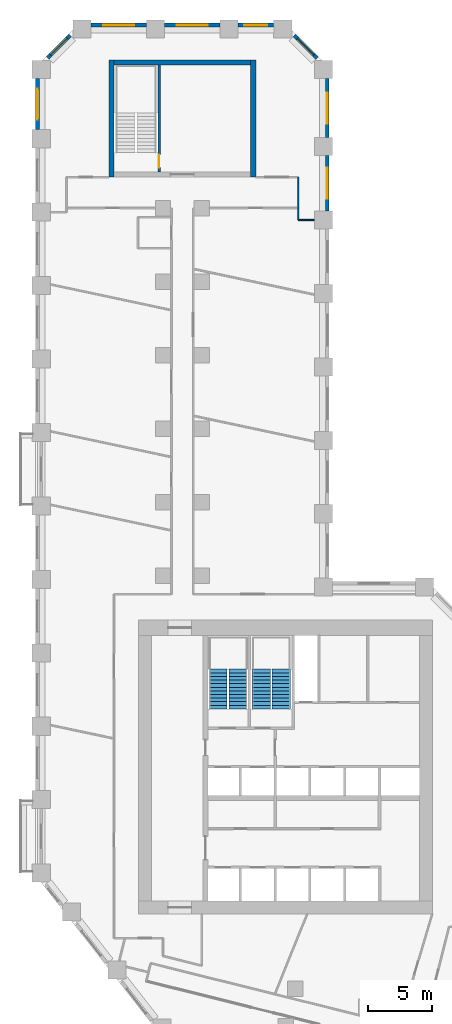
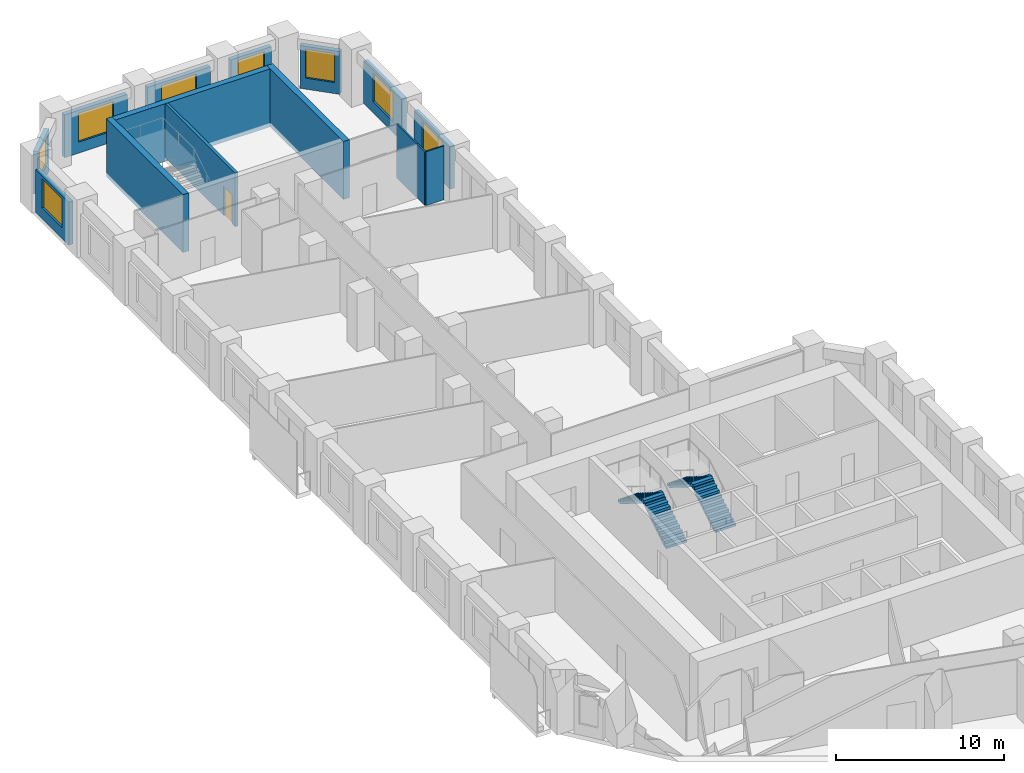
# One storey, part 9 of 11: 15 walls, 8 windows, 4 stair flights, 1 door, 9 openings, 2 elements without a shape of their own.
"""IFC4 building model written with IfcOpenShell, lengths in metres."""

from ifc_helpers import new_model, si_unit, direction, frame, frame_2d, origin, place, context, subcontext, project, spatial, polyline, rectangle, outline, extrude, material, layer, layer_set, type_object, element, fill, aggregate, save


model = new_model("IFC4")

# Units and contexts
model_context = context("Model", 3, precision=1e-05, world=origin(), true_north=direction((0.0, 1.0)))
body_context = subcontext(model_context, "Body", "Model", "MODEL_VIEW")
ifc_project = project(units=[si_unit("LENGTHUNIT", "METRE"), si_unit("AREAUNIT", "SQUARE_METRE"), si_unit("VOLUMEUNIT", "CUBIC_METRE"), si_unit("PLANEANGLEUNIT", "RADIAN"), si_unit("MASSUNIT", "GRAM", prefix="KILO")], contexts=[model_context])

# Site, building, storey
site_placement = place(None, origin())
site = spatial("IfcSite", under=ifc_project, at=site_placement, CompositionType="ELEMENT")
building_placement = place(site_placement, origin())
building = spatial("IfcBuilding", under=site, at=building_placement, Name="Meshkara Civic Tower", CompositionType="ELEMENT")
storey_placement = place(building_placement, frame((0.0, 0.0, 37.199951171875)))
storey = spatial("IfcBuildingStorey", under=building, at=storey_placement, Name="L07", CompositionType="ELEMENT", Elevation=37.199951171875)

# Wall
ifc_material_1 = material(Name="Corridor wall 100")
ifc_layer_1 = layer(ifc_material_1, 0.10009765625)
ifc_layer_set_1 = layer_set([ifc_layer_1], Name="Corridor wall 100")
wall_type_1 = type_object("IfcWallType", Name="Corridor wall 100", PredefinedType="PARTITIONING", material=ifc_layer_set_1)
wall_1_placement = place(storey_placement, frame((20.39990234375, 68.8701171875, 0.0), z_axis=(0.0, 0.0, 1.0), x_axis=(0.0, 1.0, 0.0)))
element("IfcWall", 1, at=wall_1_placement, inside=storey, type_object=wall_type_1, Name="L07-W016", PredefinedType="PARTITIONING", context=body_context, shape_type="SweptSolid", body=[
    extrude(rectangle(XDim=2.39990234375, YDim=0.10009765625, at=frame_2d((1.199951171875, 0.0))), origin(), (0.0, 0.0, 1.0), 3.900146484375),
])

# Wall, opening, window
ifc_material_2 = material(Name="Insulated infill panel with bronze anodised aluminium cladding", Category="aluminium")
ifc_layer_2 = layer(ifc_material_2, 0.300048828125)
ifc_layer_set_2 = layer_set([ifc_layer_2], Name="EXTERNAL INFILL WALL 300")
wall_type_2 = type_object("IfcWallType", Name="EXTERNAL INFILL WALL 300", PredefinedType="SOLIDWALL", material=ifc_layer_set_2)
wall_2_placement = place(storey_placement, frame((22.64990234375, 68.64990234375, 0.0), z_axis=(0.0, 0.0, 1.0), x_axis=(0.0, 1.0, 0.0)))
wall_2 = element("IfcWall", 2, at=wall_2_placement, inside=storey, type_object=wall_type_2, Name="External wall", PredefinedType="SOLIDWALL", context=body_context, shape_type="SweptSolid", body=[
    extrude(rectangle(XDim=4.300048828125, YDim=0.300048828125, at=frame_2d((2.14990234375, 0.0))), origin(), (0.0, 0.0, 1.0), 3.10009765625),
])
opening_1_placement = place(wall_2_placement, frame((0.949951171875, 0.0, 0.800048828125)))
opening_1 = element("IfcOpeningElement", 3, at=opening_1_placement, cuts=wall_2, Name="Opening W7", PredefinedType="OPENING", context=body_context, shape_type="SweptSolid", body=[
    extrude(rectangle(XDim=2.39990234375, YDim=2.10009765625, at=frame_2d((1.199951171875, 1.050048828125))), frame((0.0, 0.159912109375, 0.0), z_axis=(0.0, -1.0, 0.0), x_axis=(1.0, 0.0, 0.0)), (0.0, 0.0, 1.0), 0.320068359375),
])
ifc_material_3 = material(Name="Tinted double glazing", Category="glass")
window_type_1 = type_object("IfcWindowType", Name="WINDOW 2400x2100", PartitioningType="DOUBLE_PANEL_VERTICAL", PredefinedType="WINDOW", material=ifc_material_3)
window_1_placement = place(opening_1_placement, origin())
window_1 = element("IfcWindow", 4, at=window_1_placement, inside=storey, type_object=window_type_1, Name="Window", OverallHeight=2.10009765625, OverallWidth=2.39990234375, PartitioningType="DOUBLE_PANEL_VERTICAL", PredefinedType="WINDOW", context=body_context, shape_type="SweptSolid", body=[
    extrude(rectangle(XDim=2.39990234375, YDim=2.10009765625, at=frame_2d((1.199951171875, 1.050048828125))), frame((0.0, 0.030029296875, 0.0), z_axis=(0.0, -1.0, 0.0), x_axis=(1.0, 0.0, 0.0)), (0.0, 0.0, 1.0), 0.06005859375),
])
fill(opening_1, window_1)

wall_3_placement = place(storey_placement, frame((22.64990234375, 74.35009765625, 0.0), z_axis=(0.0, 0.0, 1.0), x_axis=(0.0, 1.0, 0.0)))
wall_3 = element("IfcWall", 5, at=wall_3_placement, inside=storey, type_object=wall_type_2, Name="External wall", PredefinedType="SOLIDWALL", context=body_context, shape_type="SweptSolid", body=[
    extrude(rectangle(XDim=4.56396484375, YDim=0.300048828125, at=frame_2d((2.281982421875, 0.0))), origin(), (0.0, 0.0, 1.0), 3.10009765625),
])
opening_2_placement = place(wall_3_placement, frame((1.08203125, 0.0, 0.800048828125)))
opening_2 = element("IfcOpeningElement", 6, at=opening_2_placement, cuts=wall_3, Name="Opening W7", PredefinedType="OPENING", context=body_context, shape_type="SweptSolid", body=[
    extrude(rectangle(XDim=2.39990234375, YDim=2.10009765625, at=frame_2d((1.199951171875, 1.050048828125))), frame((0.0, 0.159912109375, 0.0), z_axis=(0.0, -1.0, 0.0), x_axis=(1.0, 0.0, 0.0)), (0.0, 0.0, 1.0), 0.320068359375),
])
window_2_placement = place(opening_2_placement, origin())
window_2 = element("IfcWindow", 7, at=window_2_placement, inside=storey, type_object=window_type_1, Name="Window", OverallHeight=2.10009765625, OverallWidth=2.39990234375, PartitioningType="DOUBLE_PANEL_VERTICAL", PredefinedType="WINDOW", context=body_context, shape_type="SweptSolid", body=[
    extrude(rectangle(XDim=2.39990234375, YDim=2.10009765625, at=frame_2d((1.199951171875, 1.050048828125))), frame((0.0, 0.030029296875, 0.0), z_axis=(0.0, -1.0, 0.0), x_axis=(1.0, 0.0, 0.0)), (0.0, 0.0, 1.0), 0.06005859375),
])
fill(opening_2, window_2)

wall_4_placement = place(storey_placement, frame((21.862060546875, 80.52587890625, 0.0), z_axis=(0.0, 0.0, 1.0), x_axis=(-0.707106781187, 0.707106781187, 0.0)))
wall_4 = element("IfcWall", 8, at=wall_4_placement, inside=storey, type_object=wall_type_2, Name="External wall", PredefinedType="SOLIDWALL", context=body_context, shape_type="SweptSolid", body=[
    extrude(rectangle(XDim=2.4833984375, YDim=0.300048828125, at=frame_2d((1.24169921875, 0.0))), origin(), (0.0, 0.0, 1.0), 3.10009765625),
])
opening_3_placement = place(wall_4_placement, frame((0.342041015625, 0.0, 0.800048828125)))
opening_3 = element("IfcOpeningElement", 9, at=opening_3_placement, cuts=wall_4, Name="Opening W9", PredefinedType="OPENING", context=body_context, shape_type="SweptSolid", body=[
    extrude(rectangle(XDim=1.800048828125, YDim=2.10009765625, at=frame_2d((0.89990234375, 1.050048828125))), frame((0.0, 0.159912109375, 0.0), z_axis=(0.0, -1.0, 0.0), x_axis=(1.0, 0.0, 0.0)), (0.0, 0.0, 1.0), 0.320068359375),
])
ifc_material_4 = material(Name="Tinted double glazing", Category="glass")
window_type_2 = type_object("IfcWindowType", Name="WINDOW 1800x2100", PartitioningType="DOUBLE_PANEL_VERTICAL", PredefinedType="WINDOW", material=ifc_material_4)
window_3_placement = place(opening_3_placement, origin())
window_3 = element("IfcWindow", 10, at=window_3_placement, inside=storey, type_object=window_type_2, Name="Window", OverallHeight=2.10009765625, OverallWidth=1.800048828125, PartitioningType="DOUBLE_PANEL_VERTICAL", PredefinedType="WINDOW", context=body_context, shape_type="SweptSolid", body=[
    extrude(rectangle(XDim=1.800048828125, YDim=2.10009765625, at=frame_2d((0.89990234375, 1.050048828125))), frame((0.0, 0.030029296875, 0.0), z_axis=(0.0, -1.0, 0.0), x_axis=(1.0, 0.0, 0.0)), (0.0, 0.0, 1.0), 0.06005859375),
])
fill(opening_3, window_3)

wall_5_placement = place(storey_placement, frame((18.493896484375, 83.070068359375, 0.0), z_axis=(0.0, 0.0, 1.0), x_axis=(-1.0, 0.0, 0.0)))
wall_5 = element("IfcWall", 11, at=wall_5_placement, inside=storey, type_object=wall_type_2, Name="External wall", PredefinedType="SOLIDWALL", context=body_context, shape_type="SweptSolid", body=[
    extrude(rectangle(XDim=2.787841796875, YDim=0.300048828125, at=frame_2d((1.39404296875, 0.0))), origin(), (0.0, 0.0, 1.0), 3.10009765625),
])
opening_4_placement = place(wall_5_placement, frame((0.493896484375, 0.0, 0.800048828125)))
opening_4 = element("IfcOpeningElement", 12, at=opening_4_placement, cuts=wall_5, Name="Opening W9", PredefinedType="OPENING", context=body_context, shape_type="SweptSolid", body=[
    extrude(rectangle(XDim=1.800048828125, YDim=2.10009765625, at=frame_2d((0.89990234375, 1.050048828125))), frame((0.0, 0.159912109375, 0.0), z_axis=(0.0, -1.0, 0.0), x_axis=(1.0, 0.0, 0.0)), (0.0, 0.0, 1.0), 0.320068359375),
])
window_4_placement = place(opening_4_placement, origin())
window_4 = element("IfcWindow", 13, at=window_4_placement, inside=storey, type_object=window_type_2, Name="Window", OverallHeight=2.10009765625, OverallWidth=1.800048828125, PartitioningType="DOUBLE_PANEL_VERTICAL", PredefinedType="WINDOW", context=body_context, shape_type="SweptSolid", body=[
    extrude(rectangle(XDim=1.800048828125, YDim=2.10009765625, at=frame_2d((0.89990234375, 1.050048828125))), frame((0.0, 0.030029296875, 0.0), z_axis=(0.0, -1.0, 0.0), x_axis=(1.0, 0.0, 0.0)), (0.0, 0.0, 1.0), 0.06005859375),
])
fill(opening_4, window_4)

wall_6_placement = place(storey_placement, frame((14.305908203125, 83.070068359375, 0.0), z_axis=(0.0, 0.0, 1.0), x_axis=(-1.0, 0.0, 0.0)))
wall_6 = element("IfcWall", 14, at=wall_6_placement, inside=storey, type_object=wall_type_2, Name="External wall", PredefinedType="SOLIDWALL", context=body_context, shape_type="SweptSolid", body=[
    extrude(rectangle(XDim=4.2998046875, YDim=0.300048828125, at=frame_2d((2.14990234375, 0.0))), origin(), (0.0, 0.0, 1.0), 3.10009765625),
])
opening_5_placement = place(wall_6_placement, frame((0.949951171875, 0.0, 0.800048828125)))
opening_5 = element("IfcOpeningElement", 15, at=opening_5_placement, cuts=wall_6, Name="Opening W7", PredefinedType="OPENING", context=body_context, shape_type="SweptSolid", body=[
    extrude(rectangle(XDim=2.39990234375, YDim=2.10009765625, at=frame_2d((1.199951171875, 1.050048828125))), frame((0.0, 0.159912109375, 0.0), z_axis=(0.0, -1.0, 0.0), x_axis=(1.0, 0.0, 0.0)), (0.0, 0.0, 1.0), 0.320068359375),
])
window_5_placement = place(opening_5_placement, origin())
window_5 = element("IfcWindow", 16, at=window_5_placement, inside=storey, type_object=window_type_1, Name="Window", OverallHeight=2.10009765625, OverallWidth=2.39990234375, PartitioningType="DOUBLE_PANEL_VERTICAL", PredefinedType="WINDOW", context=body_context, shape_type="SweptSolid", body=[
    extrude(rectangle(XDim=2.39990234375, YDim=2.10009765625, at=frame_2d((1.199951171875, 1.050048828125))), frame((0.0, 0.030029296875, 0.0), z_axis=(0.0, -1.0, 0.0), x_axis=(1.0, 0.0, 0.0)), (0.0, 0.0, 1.0), 0.06005859375),
])
fill(opening_5, window_5)

wall_7_placement = place(storey_placement, frame((8.60595703125, 83.070068359375, 0.0), z_axis=(0.0, 0.0, 1.0), x_axis=(-1.0, 0.0, 0.0)))
wall_7 = element("IfcWall", 17, at=wall_7_placement, inside=storey, type_object=wall_type_2, Name="External wall", PredefinedType="SOLIDWALL", context=body_context, shape_type="SweptSolid", body=[
    extrude(rectangle(XDim=4.300048828125, YDim=0.300048828125, at=frame_2d((2.14990234375, 0.0))), origin(), (0.0, 0.0, 1.0), 3.10009765625),
])
opening_6_placement = place(wall_7_placement, frame((0.949951171875, 0.0, 0.800048828125)))
opening_6 = element("IfcOpeningElement", 18, at=opening_6_placement, cuts=wall_7, Name="Opening W7", PredefinedType="OPENING", context=body_context, shape_type="SweptSolid", body=[
    extrude(rectangle(XDim=2.39990234375, YDim=2.10009765625, at=frame_2d((1.199951171875, 1.050048828125))), frame((0.0, 0.159912109375, 0.0), z_axis=(0.0, -1.0, 0.0), x_axis=(1.0, 0.0, 0.0)), (0.0, 0.0, 1.0), 0.320068359375),
])
window_6_placement = place(opening_6_placement, origin())
window_6 = element("IfcWindow", 19, at=window_6_placement, inside=storey, type_object=window_type_1, Name="Window", OverallHeight=2.10009765625, OverallWidth=2.39990234375, PartitioningType="DOUBLE_PANEL_VERTICAL", PredefinedType="WINDOW", context=body_context, shape_type="SweptSolid", body=[
    extrude(rectangle(XDim=2.39990234375, YDim=2.10009765625, at=frame_2d((1.199951171875, 1.050048828125))), frame((0.0, 0.030029296875, 0.0), z_axis=(0.0, -1.0, 0.0), x_axis=(1.0, 0.0, 0.0)), (0.0, 0.0, 1.0), 0.06005859375),
])
fill(opening_6, window_6)

wall_8_placement = place(storey_placement, frame((2.694091796875, 82.281982421875, 0.0), z_axis=(0.0, 0.0, 1.0), x_axis=(-0.707106781187, -0.707106781187, 0.0)))
wall_8 = element("IfcWall", 20, at=wall_8_placement, inside=storey, type_object=wall_type_2, Name="External wall", PredefinedType="SOLIDWALL", context=body_context, shape_type="SweptSolid", body=[
    extrude(rectangle(XDim=2.4833984375, YDim=0.300048828125, at=frame_2d((1.24169921875, 0.0))), origin(), (0.0, 0.0, 1.0), 3.10009765625),
])
opening_7_placement = place(wall_8_placement, frame((0.342041015625, 0.0, 0.800048828125)))
opening_7 = element("IfcOpeningElement", 21, at=opening_7_placement, cuts=wall_8, Name="Opening W9", PredefinedType="OPENING", context=body_context, shape_type="SweptSolid", body=[
    extrude(rectangle(XDim=1.800048828125, YDim=2.10009765625, at=frame_2d((0.89990234375, 1.050048828125))), frame((0.0, 0.159912109375, 0.0), z_axis=(0.0, -1.0, 0.0), x_axis=(1.0, 0.0, 0.0)), (0.0, 0.0, 1.0), 0.320068359375),
])
window_7_placement = place(opening_7_placement, origin())
window_7 = element("IfcWindow", 22, at=window_7_placement, inside=storey, type_object=window_type_2, Name="Window", OverallHeight=2.10009765625, OverallWidth=1.800048828125, PartitioningType="DOUBLE_PANEL_VERTICAL", PredefinedType="WINDOW", context=body_context, shape_type="SweptSolid", body=[
    extrude(rectangle(XDim=1.800048828125, YDim=2.10009765625, at=frame_2d((0.89990234375, 1.050048828125))), frame((0.0, 0.030029296875, 0.0), z_axis=(0.0, -1.0, 0.0), x_axis=(1.0, 0.0, 0.0)), (0.0, 0.0, 1.0), 0.06005859375),
])
fill(opening_7, window_7)

wall_9_placement = place(storey_placement, frame((0.14990234375, 78.9140625, 0.0), z_axis=(0.0, 0.0, 1.0), x_axis=(0.0, -1.0, 0.0)))
wall_9 = element("IfcWall", 23, at=wall_9_placement, inside=storey, type_object=wall_type_2, Name="External wall", PredefinedType="SOLIDWALL", context=body_context, shape_type="SweptSolid", body=[
    extrude(rectangle(XDim=3.958984375, YDim=0.300048828125, at=frame_2d((1.9794921875, 0.0))), origin(), (0.0, 0.0, 1.0), 3.10009765625),
])
opening_8_placement = place(wall_9_placement, frame((0.780029296875, 0.0, 0.800048828125)))
opening_8 = element("IfcOpeningElement", 24, at=opening_8_placement, cuts=wall_9, Name="Opening W7", PredefinedType="OPENING", context=body_context, shape_type="SweptSolid", body=[
    extrude(rectangle(XDim=2.39990234375, YDim=2.10009765625, at=frame_2d((1.199951171875, 1.050048828125))), frame((0.0, 0.159912109375, 0.0), z_axis=(0.0, -1.0, 0.0), x_axis=(1.0, 0.0, 0.0)), (0.0, 0.0, 1.0), 0.320068359375),
])
window_8_placement = place(opening_8_placement, origin())
window_8 = element("IfcWindow", 25, at=window_8_placement, inside=storey, type_object=window_type_1, Name="Window", OverallHeight=2.10009765625, OverallWidth=2.39990234375, PartitioningType="DOUBLE_PANEL_VERTICAL", PredefinedType="WINDOW", context=body_context, shape_type="SweptSolid", body=[
    extrude(rectangle(XDim=2.39990234375, YDim=2.10009765625, at=frame_2d((1.199951171875, 1.050048828125))), frame((0.0, 0.030029296875, 0.0), z_axis=(0.0, -1.0, 0.0), x_axis=(1.0, 0.0, 0.0)), (0.0, 0.0, 1.0), 0.06005859375),
])
fill(opening_8, window_8)

# Walls
ifc_material_5 = material(Name="Concrete C80", Category="concrete")
ifc_layer_3 = layer(ifc_material_5, 0.39990234375)
ifc_layer_set_3 = layer_set([ifc_layer_3], Name="End core ring wall 400 C80")
wall_type_3 = type_object("IfcWallType", Name="End core ring wall 400 C80", PredefinedType="SHEAR", material=ifc_layer_set_3)
for number, where, z_axis, x_axis, name in (
    (26, (5.89990234375, 71.27001953125, -0.300048828125), (0.0, 0.0, 1.0), (0.0, 1.0, 0.0), "L07-C026"),
    (27, (16.89990234375, 71.27001953125, -0.300048828125), (0.0, 0.0, 1.0), (0.0, 1.0, 0.0), "L07-C027"),
):
    element("IfcWall", number, at=place(storey_placement, frame(where, z_axis=z_axis, x_axis=x_axis)), inside=storey, type_object=wall_type_3, Name=name, PredefinedType="SHEAR", context=body_context, shape_type="SweptSolid", body=[
        extrude(rectangle(XDim=9.10009765625, YDim=0.39990234375, at=frame_2d((4.550048828125, 0.0))), origin(), (0.0, 0.0, 1.0), 4.2001953125),
    ])
wall_10_placement = place(storey_placement, frame((6.10009765625, 80.169921875, -0.300048828125), z_axis=(0.0, 0.0, 1.0), x_axis=(1.0, 0.0, 0.0)))
element("IfcWall", 28, at=wall_10_placement, inside=storey, type_object=wall_type_3, Name="L07-C029", PredefinedType="SHEAR", context=body_context, shape_type="SweptSolid", body=[
    extrude(rectangle(XDim=10.599853515625, YDim=0.39990234375, at=frame_2d((5.2998046875, 0.0))), origin(), (0.0, 0.0, 1.0), 4.2001953125),
])
ifc_material_6 = material(Name="Partition 100")
ifc_layer_4 = layer(ifc_material_6, 0.10009765625)
ifc_layer_set_4 = layer_set([ifc_layer_4], Name="Partition 100")
wall_type_4 = type_object("IfcWallType", Name="Partition 100", PredefinedType="PARTITIONING", material=ifc_layer_set_4)
wall_11_placement = place(storey_placement, frame((20.39990234375, 67.949951171875, 0.0), z_axis=(0.0, 0.0, 1.0), x_axis=(0.0, 1.0, 0.0)))
element("IfcWall", 29, at=wall_11_placement, inside=storey, type_object=wall_type_4, Name="L07-W043", PredefinedType="PARTITIONING", context=body_context, shape_type="SweptSolid", body=[
    extrude(rectangle(XDim=0.924072265625, YDim=0.10009765625, at=frame_2d((0.4619140625, 0.0))), origin(), (0.0, 0.0, 1.0), 3.900146484375),
])
wall_12_placement = place(storey_placement, frame((21.64990234375, 67.949951171875, 0.0), z_axis=(0.0, 0.0, 1.0), x_axis=(-1.0, 0.0, 0.0)))
element("IfcWall", 30, at=wall_12_placement, inside=storey, type_object=wall_type_4, Name="L07-W046", PredefinedType="PARTITIONING", context=body_context, shape_type="SweptSolid", body=[
    extrude(rectangle(XDim=1.25, YDim=0.10009765625, at=frame_2d((0.625, 0.0))), origin(), (0.0, 0.0, 1.0), 3.900146484375),
])

# Wall, opening, door
ifc_material_7 = material(Name="Concrete C40/50", Category="concrete")
ifc_layer_5 = layer(ifc_material_7, 0.199951171875)
ifc_layer_set_5 = layer_set([ifc_layer_5], Name="Stair enclosure wall 200 C40/50")
wall_type_5 = type_object("IfcWallType", Name="Stair enclosure wall 200 C40/50", PredefinedType="SOLIDWALL", material=ifc_layer_set_5)
wall_13_placement = place(storey_placement, frame((9.60009765625, 71.669921875, 0.0), z_axis=(0.0, 0.0, 1.0), x_axis=(0.0, 1.0, 0.0)))
wall_13 = element("IfcWall", 31, at=wall_13_placement, inside=storey, type_object=wall_type_5, Name="L07-C030", PredefinedType="SOLIDWALL", context=body_context, shape_type="SweptSolid", body=[
    extrude(rectangle(XDim=8.300048828125, YDim=0.199951171875, at=frame_2d((4.14990234375, 0.0))), origin(), (0.0, 0.0, 1.0), 3.900146484375),
])
opening_9_placement = place(wall_13_placement, frame((0.35009765625, 0.0, 0.0)))
opening_9 = element("IfcOpeningElement", 32, at=opening_9_placement, cuts=wall_13, Name="Opening L07-K101", PredefinedType="OPENING", context=body_context, shape_type="SweptSolid", body=[
    extrude(rectangle(XDim=1.0, YDim=2.10009765625, at=frame_2d((0.5, 1.050048828125))), frame((0.0, 0.10986328125, 0.0), z_axis=(0.0, -1.0, 0.0), x_axis=(1.0, 0.0, 0.0)), (0.0, 0.0, 1.0), 0.219970703125),
])
ifc_material_8 = material(Name="Fire-rated door leaf in steel frame", Category="steel")
door_type = type_object("IfcDoorType", Name="Stair door 1000 EI 120", OperationType="SINGLE_SWING_LEFT", PredefinedType="DOOR", material=ifc_material_8)
door_placement = place(opening_9_placement, origin())
door = element("IfcDoor", 33, at=door_placement, inside=storey, type_object=door_type, Name="L07-K101", OperationType="SINGLE_SWING_RIGHT", OverallHeight=2.10009765625, OverallWidth=1.0, PredefinedType="DOOR", context=body_context, shape_type="SweptSolid", body=[
    extrude(rectangle(XDim=1.0, YDim=2.10009765625, at=frame_2d((0.5, 1.050048828125))), frame((0.0, 0.02490234375, 0.0), z_axis=(0.0, -1.0, 0.0), x_axis=(1.0, 0.0, 0.0)), (0.0, 0.0, 1.0), 0.050048828125),
])
fill(opening_9, door)

# Stair, stair flights
ifc_material_9 = material(Name="Precast concrete C40/50", Category="concrete")
stair_type = type_object("IfcStairType", Name="Exit stair half-turn 24 risers precast", PredefinedType="HALF_TURN_STAIR", material=ifc_material_9)
stair_1_placement = place(storey_placement, origin())
stair_1 = element("IfcStair", 34, at=stair_1_placement, inside=storey, type_object=stair_type, Name="L07 exit stair 1", PredefinedType="HALF_TURN_STAIR")
ifc_material_10 = material(Name="Precast concrete C40/50", Category="concrete")
stair_flight_type = type_object("IfcStairFlightType", Name="Exit stair flight 12 risers precast", PredefinedType="STRAIGHT", material=ifc_material_10)
stair_flight_1_placement = place(storey_placement, frame((15.72509765625, 30.0, 0.0), z_axis=(0.0, 0.0, 1.0), x_axis=(0.0, 1.0, 0.0)))
stair_flight_1 = element("IfcStairFlight", 35, at=stair_flight_1_placement, type_object=stair_flight_type, Name="ST1 flight 1", NumberOfRisers=12, NumberOfTreads=11, PredefinedType="STRAIGHT", RiserHeight=0.175, TreadLength=0.28, context=body_context, shape_type="SweptSolid", body=[
    extrude(outline(polyline([(0.0, 0.0), (0.0, 0.175048828125), (0.280029296875, 0.175048828125), (0.280029296875, 0.35009765625), (0.56005859375, 0.35009765625), (0.56005859375, 0.52490234375), (0.840087890625, 0.52490234375), (0.840087890625, 0.699951171875), (1.1201171875, 0.699951171875), (1.1201171875, 0.875), (1.39990234375, 0.875), (1.39990234375, 1.050048828125), (1.679931640625, 1.050048828125), (1.679931640625, 1.22509765625), (1.9599609375, 1.22509765625), (1.9599609375, 1.39990234375), (2.239990234375, 1.39990234375), (2.239990234375, 1.574951171875), (2.52001953125, 1.574951171875), (2.52001953125, 1.75), (2.800048828125, 1.75), (2.800048828125, 1.925048828125), (3.080078125, 1.925048828125), (3.080078125, 2.10009765625), (3.080078125, 1.748291015625), (0.28271484375, 0.0), (0.0, 0.0)])), frame((0.0, 0.699951171875, 0.0), z_axis=(0.0, -1.0, 0.0), x_axis=(1.0, 0.0, 0.0)), (0.0, 0.0, 1.0), 1.39990234375),
])
stair_flight_2_placement = place(storey_placement, frame((14.175048828125, 33.080078125, 2.10009765625), z_axis=(0.0, 0.0, 1.0), x_axis=(0.0, -1.0, 0.0)))
stair_flight_2 = element("IfcStairFlight", 36, at=stair_flight_2_placement, type_object=stair_flight_type, Name="ST1 flight 2", NumberOfRisers=12, NumberOfTreads=11, PredefinedType="STRAIGHT", RiserHeight=0.175, TreadLength=0.28, context=body_context, shape_type="SweptSolid", body=[
    extrude(outline(polyline([(0.0, 0.0), (0.0, 0.175048828125), (0.280029296875, 0.175048828125), (0.280029296875, 0.35009765625), (0.56005859375, 0.35009765625), (0.56005859375, 0.52490234375), (0.840087890625, 0.52490234375), (0.840087890625, 0.699951171875), (1.1201171875, 0.699951171875), (1.1201171875, 0.875), (1.39990234375, 0.875), (1.39990234375, 1.050048828125), (1.679931640625, 1.050048828125), (1.679931640625, 1.22509765625), (1.9599609375, 1.22509765625), (1.9599609375, 1.39990234375), (2.239990234375, 1.39990234375), (2.239990234375, 1.574951171875), (2.52001953125, 1.574951171875), (2.52001953125, 1.75), (2.800048828125, 1.75), (2.800048828125, 1.925048828125), (3.080078125, 1.925048828125), (3.080078125, 2.10009765625), (3.080078125, 1.748291015625), (0.28271484375, 0.0), (0.0, 0.0)])), frame((0.0, 0.699951171875, 0.0), z_axis=(0.0, -1.0, 0.0), x_axis=(1.0, 0.0, 0.0)), (0.0, 0.0, 1.0), 1.39990234375),
])
aggregate(stair_1, [stair_flight_1, stair_flight_2])

stair_2_placement = place(storey_placement, origin())
stair_2 = element("IfcStair", 37, at=stair_2_placement, inside=storey, type_object=stair_type, Name="L07 exit stair 2", PredefinedType="HALF_TURN_STAIR")
stair_flight_3_placement = place(storey_placement, frame((19.074951171875, 30.0, 0.0), z_axis=(0.0, 0.0, 1.0), x_axis=(0.0, 1.0, 0.0)))
stair_flight_3 = element("IfcStairFlight", 38, at=stair_flight_3_placement, type_object=stair_flight_type, Name="ST2 flight 1", NumberOfRisers=12, NumberOfTreads=11, PredefinedType="STRAIGHT", RiserHeight=0.175, TreadLength=0.28, context=body_context, shape_type="SweptSolid", body=[
    extrude(outline(polyline([(0.0, 0.0), (0.0, 0.175048828125), (0.280029296875, 0.175048828125), (0.280029296875, 0.35009765625), (0.56005859375, 0.35009765625), (0.56005859375, 0.52490234375), (0.840087890625, 0.52490234375), (0.840087890625, 0.699951171875), (1.1201171875, 0.699951171875), (1.1201171875, 0.875), (1.39990234375, 0.875), (1.39990234375, 1.050048828125), (1.679931640625, 1.050048828125), (1.679931640625, 1.22509765625), (1.9599609375, 1.22509765625), (1.9599609375, 1.39990234375), (2.239990234375, 1.39990234375), (2.239990234375, 1.574951171875), (2.52001953125, 1.574951171875), (2.52001953125, 1.75), (2.800048828125, 1.75), (2.800048828125, 1.925048828125), (3.080078125, 1.925048828125), (3.080078125, 2.10009765625), (3.080078125, 1.748291015625), (0.28271484375, 0.0), (0.0, 0.0)])), frame((0.0, 0.699951171875, 0.0), z_axis=(0.0, -1.0, 0.0), x_axis=(1.0, 0.0, 0.0)), (0.0, 0.0, 1.0), 1.39990234375),
])
stair_flight_4_placement = place(storey_placement, frame((17.52490234375, 33.080078125, 2.10009765625), z_axis=(0.0, 0.0, 1.0), x_axis=(0.0, -1.0, 0.0)))
stair_flight_4 = element("IfcStairFlight", 39, at=stair_flight_4_placement, type_object=stair_flight_type, Name="ST2 flight 2", NumberOfRisers=12, NumberOfTreads=11, PredefinedType="STRAIGHT", RiserHeight=0.175, TreadLength=0.28, context=body_context, shape_type="SweptSolid", body=[
    extrude(outline(polyline([(0.0, 0.0), (0.0, 0.175048828125), (0.280029296875, 0.175048828125), (0.280029296875, 0.35009765625), (0.56005859375, 0.35009765625), (0.56005859375, 0.52490234375), (0.840087890625, 0.52490234375), (0.840087890625, 0.699951171875), (1.1201171875, 0.699951171875), (1.1201171875, 0.875), (1.39990234375, 0.875), (1.39990234375, 1.050048828125), (1.679931640625, 1.050048828125), (1.679931640625, 1.22509765625), (1.9599609375, 1.22509765625), (1.9599609375, 1.39990234375), (2.239990234375, 1.39990234375), (2.239990234375, 1.574951171875), (2.52001953125, 1.574951171875), (2.52001953125, 1.75), (2.800048828125, 1.75), (2.800048828125, 1.925048828125), (3.080078125, 1.925048828125), (3.080078125, 2.10009765625), (3.080078125, 1.748291015625), (0.28271484375, 0.0), (0.0, 0.0)])), frame((0.0, 0.699951171875, 0.0), z_axis=(0.0, -1.0, 0.0), x_axis=(1.0, 0.0, 0.0)), (0.0, 0.0, 1.0), 1.39990234375),
])
aggregate(stair_2, [stair_flight_3, stair_flight_4])

save(model, "model.ifc")
